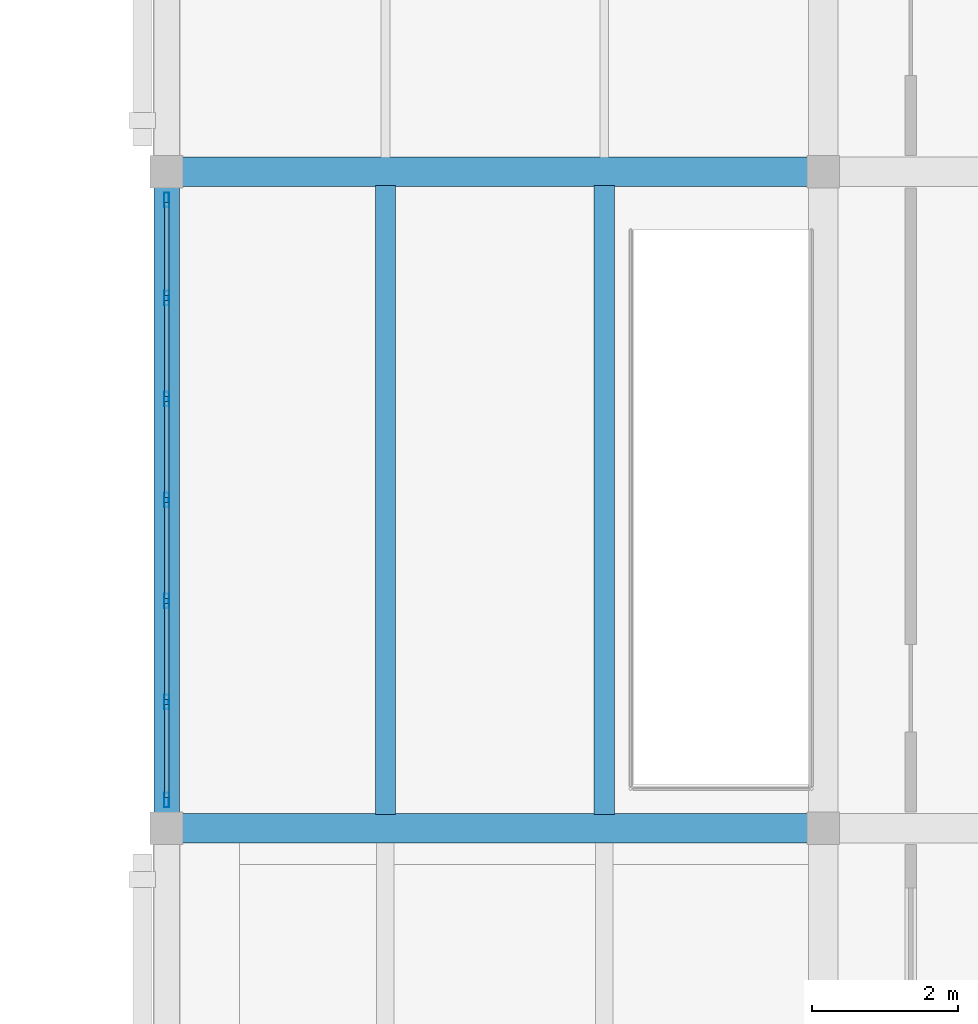
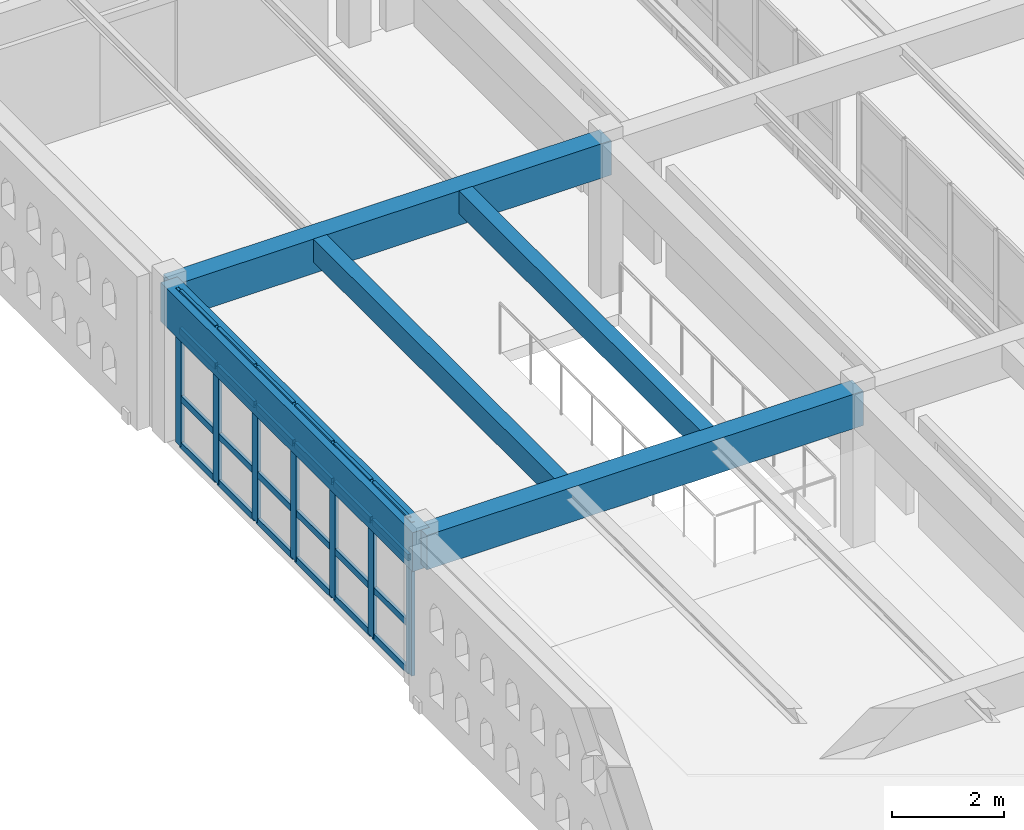
# One storey, part 39 of 80: 31 members, 5 beams, 1 element without a shape of its own.
"""IFC4 building model written with IfcOpenShell, lengths in metres."""

from ifc_helpers import new_model, si_unit, direction, frame, origin, origin_2d, place, context, subcontext, project, spatial, rectangle, hollow_rectangle, extrude, material, layer, layer_set, material_profile, profile_set, type_object, element, aggregate, save


model = new_model("IFC4")

# Units and contexts
model_context = context("Model", 3, precision=1e-05, world=origin(), true_north=direction((0.0, 1.0)))
body_context = subcontext(model_context, "Body", "Model", "MODEL_VIEW")
ifc_project = project(units=[si_unit("LENGTHUNIT", "METRE"), si_unit("AREAUNIT", "SQUARE_METRE"), si_unit("VOLUMEUNIT", "CUBIC_METRE"), si_unit("PLANEANGLEUNIT", "RADIAN"), si_unit("MASSUNIT", "GRAM", prefix="KILO")], contexts=[model_context])

# Site, building, storey
site_placement = place(None, origin())
site = spatial("IfcSite", under=ifc_project, at=site_placement, CompositionType="ELEMENT")
building_placement = place(site_placement, origin())
building = spatial("IfcBuilding", under=site, at=building_placement, Name="Ornek Quay Market", CompositionType="ELEMENT")
storey_placement = place(building_placement, frame((0.0, 0.0, 8.39990234375)))
storey = spatial("IfcBuildingStorey", under=building, at=storey_placement, Name="L02", CompositionType="ELEMENT", Elevation=8.39990234375)

# Beams
ifc_material_1 = material(Name="Concrete C35/45", Category="concrete")
ifc_material_profile_1 = material_profile(ifc_material_1, rectangle(XDim=0.39990234375, YDim=0.75, at=origin_2d()), Name="RC 400x750", Category="concrete")
ifc_profile_set_1 = profile_set([ifc_material_profile_1], Name="Concrete C35/45")
beam_type_1 = type_object("IfcBeamType", Name="BM-CS-400x750", PredefinedType="BEAM", material=ifc_profile_set_1)
for number, where, z_axis, x_axis, name in (
    (1, (153.0, 47.0, 2.97509765625), (1.0, 0.0, 0.0), (0.0, 1.0, 0.0), "Primary beam B-CS1-063"),
    (2, (153.0, 56.0, 2.97509765625), (1.0, 0.0, 0.0), (0.0, 1.0, 0.0), "Primary beam B-CS1-066"),
):
    element("IfcBeam", number, at=place(storey_placement, frame(where, z_axis=z_axis, x_axis=x_axis)), inside=storey, type_object=beam_type_1, Name=name, PredefinedType="BEAM", context=body_context, shape_type="SweptSolid", body=[
        extrude(rectangle(XDim=0.39990234375, YDim=0.75, at=origin_2d()), origin(), (0.0, 0.0, 1.0), 9.0),
    ])
ifc_material_profile_2 = material_profile(ifc_material_1, rectangle(XDim=0.280029296875, YDim=0.5, at=origin_2d()), Name="RC 280x500", Category="concrete")
ifc_profile_set_2 = profile_set([ifc_material_profile_2], Name="Concrete C35/45")
beam_type_2 = type_object("IfcBeamType", Name="BM-SEC-280x500", PredefinedType="JOIST", material=ifc_profile_set_2)
for number, where, z_axis, x_axis, name in (
    (3, (156.0, 47.19189453125, 3.10009765625), (0.0, 1.0, 0.0), (-1.0, 0.0, 0.0), "Secondary joist B-SC2-093"),
    (4, (159.0, 47.19189453125, 3.10009765625), (0.0, 1.0, 0.0), (-1.0, 0.0, 0.0), "Secondary joist B-SC2-094"),
):
    element("IfcBeam", number, at=place(storey_placement, frame(where, z_axis=z_axis, x_axis=x_axis)), inside=storey, type_object=beam_type_2, Name=name, PredefinedType="JOIST", context=body_context, shape_type="SweptSolid", body=[
        extrude(rectangle(XDim=0.280029296875, YDim=0.5, at=origin_2d()), origin(), (0.0, 0.0, 1.0), 8.6162109375),
    ])
ifc_material_2 = material(Name="Concrete C40/50", Category="concrete")
ifc_material_profile_3 = material_profile(ifc_material_2, rectangle(XDim=0.35009765625, YDim=0.85009765625, at=origin_2d()), Name="RC 350x850", Category="concrete")
ifc_profile_set_3 = profile_set([ifc_material_profile_3], Name="Concrete C40/50")
beam_type_3 = type_object("IfcBeamType", Name="BM-SPN-350x850", PredefinedType="SPANDREL", material=ifc_profile_set_3)
beam_placement = place(storey_placement, frame((153.0, 47.0, 2.925048828125), z_axis=(0.0, 1.0, 0.0), x_axis=(-1.0, 0.0, 0.0)))
element("IfcBeam", 5, at=beam_placement, inside=storey, type_object=beam_type_3, Name="Primary beam B-SP1-153", PredefinedType="SPANDREL", context=body_context, shape_type="SweptSolid", body=[
    extrude(rectangle(XDim=0.35009765625, YDim=0.85009765625, at=origin_2d()), origin(), (0.0, 0.0, 1.0), 9.0),
])

# Curtain wall, members
ifc_material_3 = material(Name="Anodised bronze aluminium and triple low-e glass", Category="aluminium")
ifc_layer = layer(ifc_material_3, 0.18994140625, Name="Anodised bronze aluminium and triple low-e glass", Category="aluminium")
ifc_layer_set = layer_set([ifc_layer], Name="Anodised bronze aluminium and triple low-e glass")
curtain_wall_type = type_object("IfcCurtainWallType", Name="CW-FC-MOD1500", PredefinedType="USERDEFINED", material=ifc_layer_set)
curtain_wall_placement = place(storey_placement, origin())
curtain_wall = element("IfcCurtainWall", 6, at=curtain_wall_placement, inside=storey, type_object=curtain_wall_type, Name="Curtain wall CW-093", ObjectType="CURTAIN WALL", PredefinedType="USERDEFINED")
ifc_material_4 = material(Name="Anodised aluminium 6063-T6", Category="aluminium")
ifc_material_profile_4 = material_profile(ifc_material_4, hollow_rectangle(XDim=0.070068359375, YDim=0.199951171875, WallThickness=0.0048828125, at=origin_2d()), Name="CW-MUL-70x200", Category="aluminium")
ifc_profile_set_4 = profile_set([ifc_material_profile_4], Name="Anodised aluminium 6063-T6")
member_type_1 = type_object("IfcMemberType", Name="CW-MUL-70x200", PredefinedType="MULLION", material=ifc_profile_set_4)
member_1_placement = place(storey_placement, frame((153.0, 47.385009765625, 0.0), z_axis=(0.0, 0.0, 1.0), x_axis=(-1.0, 0.0, 0.0)))
member_1 = element("IfcMember", 7, at=member_1_placement, type_object=member_type_1, Name="CW-093 mullion 1", PredefinedType="MULLION", context=body_context, shape_type="SweptSolid", body=[
    extrude(hollow_rectangle(XDim=0.070068359375, YDim=0.199951171875, WallThickness=0.0048828125, at=origin_2d()), origin(), (0.0, 0.0, 1.0), 3.35009765625),
])
member_2_placement = place(storey_placement, frame((153.0, 48.7333984375, 0.0), z_axis=(0.0, 0.0, 1.0), x_axis=(-1.0, 0.0, 0.0)))
member_2 = element("IfcMember", 8, at=member_2_placement, type_object=member_type_1, Name="CW-093 mullion 2", PredefinedType="MULLION", context=body_context, shape_type="SweptSolid", body=[
    extrude(hollow_rectangle(XDim=0.070068359375, YDim=0.199951171875, WallThickness=0.0048828125, at=origin_2d()), origin(), (0.0, 0.0, 1.0), 3.35009765625),
])
member_3_placement = place(storey_placement, frame((153.0, 50.11669921875, 0.0), z_axis=(0.0, 0.0, 1.0), x_axis=(-1.0, 0.0, 0.0)))
member_3 = element("IfcMember", 9, at=member_3_placement, type_object=member_type_1, Name="CW-093 mullion 3", PredefinedType="MULLION", context=body_context, shape_type="SweptSolid", body=[
    extrude(hollow_rectangle(XDim=0.070068359375, YDim=0.199951171875, WallThickness=0.0048828125, at=origin_2d()), origin(), (0.0, 0.0, 1.0), 3.35009765625),
])
member_4_placement = place(storey_placement, frame((153.0, 51.5, 0.0), z_axis=(0.0, 0.0, 1.0), x_axis=(-1.0, 0.0, 0.0)))
member_4 = element("IfcMember", 10, at=member_4_placement, type_object=member_type_1, Name="CW-093 mullion 4", PredefinedType="MULLION", context=body_context, shape_type="SweptSolid", body=[
    extrude(hollow_rectangle(XDim=0.070068359375, YDim=0.199951171875, WallThickness=0.0048828125, at=origin_2d()), origin(), (0.0, 0.0, 1.0), 3.35009765625),
])
member_5_placement = place(storey_placement, frame((153.0, 52.88330078125, 0.0), z_axis=(0.0, 0.0, 1.0), x_axis=(-1.0, 0.0, 0.0)))
member_5 = element("IfcMember", 11, at=member_5_placement, type_object=member_type_1, Name="CW-093 mullion 5", PredefinedType="MULLION", context=body_context, shape_type="SweptSolid", body=[
    extrude(hollow_rectangle(XDim=0.070068359375, YDim=0.199951171875, WallThickness=0.0048828125, at=origin_2d()), origin(), (0.0, 0.0, 1.0), 3.35009765625),
])
member_6_placement = place(storey_placement, frame((153.0, 54.2666015625, 0.0), z_axis=(0.0, 0.0, 1.0), x_axis=(-1.0, 0.0, 0.0)))
member_6 = element("IfcMember", 12, at=member_6_placement, type_object=member_type_1, Name="CW-093 mullion 6", PredefinedType="MULLION", context=body_context, shape_type="SweptSolid", body=[
    extrude(hollow_rectangle(XDim=0.070068359375, YDim=0.199951171875, WallThickness=0.0048828125, at=origin_2d()), origin(), (0.0, 0.0, 1.0), 3.35009765625),
])
member_7_placement = place(storey_placement, frame((153.0, 55.614990234375, 0.0), z_axis=(0.0, 0.0, 1.0), x_axis=(-1.0, 0.0, 0.0)))
member_7 = element("IfcMember", 13, at=member_7_placement, type_object=member_type_1, Name="CW-093 mullion 7", PredefinedType="MULLION", context=body_context, shape_type="SweptSolid", body=[
    extrude(hollow_rectangle(XDim=0.070068359375, YDim=0.199951171875, WallThickness=0.0048828125, at=origin_2d()), origin(), (0.0, 0.0, 1.0), 3.35009765625),
])
ifc_material_profile_5 = material_profile(ifc_material_4, hollow_rectangle(XDim=0.06494140625, YDim=0.139892578125, WallThickness=0.00439453125, at=origin_2d()), Name="CW-TRN-65x140", Category="aluminium")
ifc_profile_set_5 = profile_set([ifc_material_profile_5], Name="Anodised aluminium 6063-T6")
member_type_2 = type_object("IfcMemberType", Name="CW-TRN-65x140", PredefinedType="USERDEFINED", material=ifc_profile_set_5)
member_8_placement = place(storey_placement, frame((153.0, 47.419921875, 0.03271484375), z_axis=(0.0, 1.0, 0.0), x_axis=(-1.0, 0.0, 0.0)))
member_8 = element("IfcMember", 14, at=member_8_placement, type_object=member_type_2, Name="CW-093 transom 1.1", ObjectType="TRANSOM", PredefinedType="USERDEFINED", context=body_context, shape_type="SweptSolid", body=[
    extrude(hollow_rectangle(XDim=0.06494140625, YDim=0.139892578125, WallThickness=0.00439453125, at=origin_2d()), origin(), (0.0, 0.0, 1.0), 1.2783203125),
])
member_9_placement = place(storey_placement, frame((153.0, 47.419921875, 1.050048828125), z_axis=(0.0, 1.0, 0.0), x_axis=(-1.0, 0.0, 0.0)))
member_9 = element("IfcMember", 15, at=member_9_placement, type_object=member_type_2, Name="CW-093 transom 1.2", ObjectType="TRANSOM", PredefinedType="USERDEFINED", context=body_context, shape_type="SweptSolid", body=[
    extrude(hollow_rectangle(XDim=0.06494140625, YDim=0.139892578125, WallThickness=0.00439453125, at=origin_2d()), origin(), (0.0, 0.0, 1.0), 1.2783203125),
])
member_10_placement = place(storey_placement, frame((153.0, 47.419921875, 2.5), z_axis=(0.0, 1.0, 0.0), x_axis=(-1.0, 0.0, 0.0)))
member_10 = element("IfcMember", 16, at=member_10_placement, type_object=member_type_2, Name="CW-093 transom 1.3", ObjectType="TRANSOM", PredefinedType="USERDEFINED", context=body_context, shape_type="SweptSolid", body=[
    extrude(hollow_rectangle(XDim=0.06494140625, YDim=0.139892578125, WallThickness=0.00439453125, at=origin_2d()), origin(), (0.0, 0.0, 1.0), 1.2783203125),
])
member_11_placement = place(storey_placement, frame((153.0, 47.419921875, 3.317626953125), z_axis=(0.0, 1.0, 0.0), x_axis=(-1.0, 0.0, 0.0)))
member_11 = element("IfcMember", 17, at=member_11_placement, type_object=member_type_2, Name="CW-093 transom 1.4", ObjectType="TRANSOM", PredefinedType="USERDEFINED", context=body_context, shape_type="SweptSolid", body=[
    extrude(hollow_rectangle(XDim=0.06494140625, YDim=0.139892578125, WallThickness=0.00439453125, at=origin_2d()), origin(), (0.0, 0.0, 1.0), 1.2783203125),
])
member_12_placement = place(storey_placement, frame((153.0, 48.768310546875, 0.03271484375), z_axis=(0.0, 1.0, 0.0), x_axis=(-1.0, 0.0, 0.0)))
member_12 = element("IfcMember", 18, at=member_12_placement, type_object=member_type_2, Name="CW-093 transom 2.1", ObjectType="TRANSOM", PredefinedType="USERDEFINED", context=body_context, shape_type="SweptSolid", body=[
    extrude(hollow_rectangle(XDim=0.06494140625, YDim=0.139892578125, WallThickness=0.00439453125, at=origin_2d()), origin(), (0.0, 0.0, 1.0), 1.3134765625),
])
member_13_placement = place(storey_placement, frame((153.0, 48.768310546875, 1.050048828125), z_axis=(0.0, 1.0, 0.0), x_axis=(-1.0, 0.0, 0.0)))
member_13 = element("IfcMember", 19, at=member_13_placement, type_object=member_type_2, Name="CW-093 transom 2.2", ObjectType="TRANSOM", PredefinedType="USERDEFINED", context=body_context, shape_type="SweptSolid", body=[
    extrude(hollow_rectangle(XDim=0.06494140625, YDim=0.139892578125, WallThickness=0.00439453125, at=origin_2d()), origin(), (0.0, 0.0, 1.0), 1.3134765625),
])
member_14_placement = place(storey_placement, frame((153.0, 48.768310546875, 2.5), z_axis=(0.0, 1.0, 0.0), x_axis=(-1.0, 0.0, 0.0)))
member_14 = element("IfcMember", 20, at=member_14_placement, type_object=member_type_2, Name="CW-093 transom 2.3", ObjectType="TRANSOM", PredefinedType="USERDEFINED", context=body_context, shape_type="SweptSolid", body=[
    extrude(hollow_rectangle(XDim=0.06494140625, YDim=0.139892578125, WallThickness=0.00439453125, at=origin_2d()), origin(), (0.0, 0.0, 1.0), 1.3134765625),
])
member_15_placement = place(storey_placement, frame((153.0, 48.768310546875, 3.317626953125), z_axis=(0.0, 1.0, 0.0), x_axis=(-1.0, 0.0, 0.0)))
member_15 = element("IfcMember", 21, at=member_15_placement, type_object=member_type_2, Name="CW-093 transom 2.4", ObjectType="TRANSOM", PredefinedType="USERDEFINED", context=body_context, shape_type="SweptSolid", body=[
    extrude(hollow_rectangle(XDim=0.06494140625, YDim=0.139892578125, WallThickness=0.00439453125, at=origin_2d()), origin(), (0.0, 0.0, 1.0), 1.3134765625),
])
member_16_placement = place(storey_placement, frame((153.0, 50.151611328125, 0.03271484375), z_axis=(0.0, 1.0, 0.0), x_axis=(-1.0, 0.0, 0.0)))
member_16 = element("IfcMember", 22, at=member_16_placement, type_object=member_type_2, Name="CW-093 transom 3.1", ObjectType="TRANSOM", PredefinedType="USERDEFINED", context=body_context, shape_type="SweptSolid", body=[
    extrude(hollow_rectangle(XDim=0.06494140625, YDim=0.139892578125, WallThickness=0.00439453125, at=origin_2d()), origin(), (0.0, 0.0, 1.0), 1.3134765625),
])
member_17_placement = place(storey_placement, frame((153.0, 50.151611328125, 1.050048828125), z_axis=(0.0, 1.0, 0.0), x_axis=(-1.0, 0.0, 0.0)))
member_17 = element("IfcMember", 23, at=member_17_placement, type_object=member_type_2, Name="CW-093 transom 3.2", ObjectType="TRANSOM", PredefinedType="USERDEFINED", context=body_context, shape_type="SweptSolid", body=[
    extrude(hollow_rectangle(XDim=0.06494140625, YDim=0.139892578125, WallThickness=0.00439453125, at=origin_2d()), origin(), (0.0, 0.0, 1.0), 1.3134765625),
])
member_18_placement = place(storey_placement, frame((153.0, 50.151611328125, 2.5), z_axis=(0.0, 1.0, 0.0), x_axis=(-1.0, 0.0, 0.0)))
member_18 = element("IfcMember", 24, at=member_18_placement, type_object=member_type_2, Name="CW-093 transom 3.3", ObjectType="TRANSOM", PredefinedType="USERDEFINED", context=body_context, shape_type="SweptSolid", body=[
    extrude(hollow_rectangle(XDim=0.06494140625, YDim=0.139892578125, WallThickness=0.00439453125, at=origin_2d()), origin(), (0.0, 0.0, 1.0), 1.3134765625),
])
member_19_placement = place(storey_placement, frame((153.0, 50.151611328125, 3.317626953125), z_axis=(0.0, 1.0, 0.0), x_axis=(-1.0, 0.0, 0.0)))
member_19 = element("IfcMember", 25, at=member_19_placement, type_object=member_type_2, Name="CW-093 transom 3.4", ObjectType="TRANSOM", PredefinedType="USERDEFINED", context=body_context, shape_type="SweptSolid", body=[
    extrude(hollow_rectangle(XDim=0.06494140625, YDim=0.139892578125, WallThickness=0.00439453125, at=origin_2d()), origin(), (0.0, 0.0, 1.0), 1.3134765625),
])
member_20_placement = place(storey_placement, frame((153.0, 51.534912109375, 0.03271484375), z_axis=(0.0, 1.0, 0.0), x_axis=(-1.0, 0.0, 0.0)))
member_20 = element("IfcMember", 26, at=member_20_placement, type_object=member_type_2, Name="CW-093 transom 4.1", ObjectType="TRANSOM", PredefinedType="USERDEFINED", context=body_context, shape_type="SweptSolid", body=[
    extrude(hollow_rectangle(XDim=0.06494140625, YDim=0.139892578125, WallThickness=0.00439453125, at=origin_2d()), origin(), (0.0, 0.0, 1.0), 1.3134765625),
])
member_21_placement = place(storey_placement, frame((153.0, 51.534912109375, 1.050048828125), z_axis=(0.0, 1.0, 0.0), x_axis=(-1.0, 0.0, 0.0)))
member_21 = element("IfcMember", 27, at=member_21_placement, type_object=member_type_2, Name="CW-093 transom 4.2", ObjectType="TRANSOM", PredefinedType="USERDEFINED", context=body_context, shape_type="SweptSolid", body=[
    extrude(hollow_rectangle(XDim=0.06494140625, YDim=0.139892578125, WallThickness=0.00439453125, at=origin_2d()), origin(), (0.0, 0.0, 1.0), 1.3134765625),
])
member_22_placement = place(storey_placement, frame((153.0, 51.534912109375, 2.5), z_axis=(0.0, 1.0, 0.0), x_axis=(-1.0, 0.0, 0.0)))
member_22 = element("IfcMember", 28, at=member_22_placement, type_object=member_type_2, Name="CW-093 transom 4.3", ObjectType="TRANSOM", PredefinedType="USERDEFINED", context=body_context, shape_type="SweptSolid", body=[
    extrude(hollow_rectangle(XDim=0.06494140625, YDim=0.139892578125, WallThickness=0.00439453125, at=origin_2d()), origin(), (0.0, 0.0, 1.0), 1.3134765625),
])
member_23_placement = place(storey_placement, frame((153.0, 51.534912109375, 3.317626953125), z_axis=(0.0, 1.0, 0.0), x_axis=(-1.0, 0.0, 0.0)))
member_23 = element("IfcMember", 29, at=member_23_placement, type_object=member_type_2, Name="CW-093 transom 4.4", ObjectType="TRANSOM", PredefinedType="USERDEFINED", context=body_context, shape_type="SweptSolid", body=[
    extrude(hollow_rectangle(XDim=0.06494140625, YDim=0.139892578125, WallThickness=0.00439453125, at=origin_2d()), origin(), (0.0, 0.0, 1.0), 1.3134765625),
])
member_24_placement = place(storey_placement, frame((153.0, 52.918212890625, 0.03271484375), z_axis=(0.0, 1.0, 0.0), x_axis=(-1.0, 0.0, 0.0)))
member_24 = element("IfcMember", 30, at=member_24_placement, type_object=member_type_2, Name="CW-093 transom 5.1", ObjectType="TRANSOM", PredefinedType="USERDEFINED", context=body_context, shape_type="SweptSolid", body=[
    extrude(hollow_rectangle(XDim=0.06494140625, YDim=0.139892578125, WallThickness=0.00439453125, at=origin_2d()), origin(), (0.0, 0.0, 1.0), 1.3134765625),
])
member_25_placement = place(storey_placement, frame((153.0, 52.918212890625, 1.050048828125), z_axis=(0.0, 1.0, 0.0), x_axis=(-1.0, 0.0, 0.0)))
member_25 = element("IfcMember", 31, at=member_25_placement, type_object=member_type_2, Name="CW-093 transom 5.2", ObjectType="TRANSOM", PredefinedType="USERDEFINED", context=body_context, shape_type="SweptSolid", body=[
    extrude(hollow_rectangle(XDim=0.06494140625, YDim=0.139892578125, WallThickness=0.00439453125, at=origin_2d()), origin(), (0.0, 0.0, 1.0), 1.3134765625),
])
member_26_placement = place(storey_placement, frame((153.0, 52.918212890625, 2.5), z_axis=(0.0, 1.0, 0.0), x_axis=(-1.0, 0.0, 0.0)))
member_26 = element("IfcMember", 32, at=member_26_placement, type_object=member_type_2, Name="CW-093 transom 5.3", ObjectType="TRANSOM", PredefinedType="USERDEFINED", context=body_context, shape_type="SweptSolid", body=[
    extrude(hollow_rectangle(XDim=0.06494140625, YDim=0.139892578125, WallThickness=0.00439453125, at=origin_2d()), origin(), (0.0, 0.0, 1.0), 1.3134765625),
])
member_27_placement = place(storey_placement, frame((153.0, 52.918212890625, 3.317626953125), z_axis=(0.0, 1.0, 0.0), x_axis=(-1.0, 0.0, 0.0)))
member_27 = element("IfcMember", 33, at=member_27_placement, type_object=member_type_2, Name="CW-093 transom 5.4", ObjectType="TRANSOM", PredefinedType="USERDEFINED", context=body_context, shape_type="SweptSolid", body=[
    extrude(hollow_rectangle(XDim=0.06494140625, YDim=0.139892578125, WallThickness=0.00439453125, at=origin_2d()), origin(), (0.0, 0.0, 1.0), 1.3134765625),
])
member_28_placement = place(storey_placement, frame((153.0, 54.3017578125, 0.03271484375), z_axis=(0.0, 1.0, 0.0), x_axis=(-1.0, 0.0, 0.0)))
member_28 = element("IfcMember", 34, at=member_28_placement, type_object=member_type_2, Name="CW-093 transom 6.1", ObjectType="TRANSOM", PredefinedType="USERDEFINED", context=body_context, shape_type="SweptSolid", body=[
    extrude(hollow_rectangle(XDim=0.06494140625, YDim=0.139892578125, WallThickness=0.00439453125, at=origin_2d()), origin(), (0.0, 0.0, 1.0), 1.2783203125),
])
member_29_placement = place(storey_placement, frame((153.0, 54.3017578125, 1.050048828125), z_axis=(0.0, 1.0, 0.0), x_axis=(-1.0, 0.0, 0.0)))
member_29 = element("IfcMember", 35, at=member_29_placement, type_object=member_type_2, Name="CW-093 transom 6.2", ObjectType="TRANSOM", PredefinedType="USERDEFINED", context=body_context, shape_type="SweptSolid", body=[
    extrude(hollow_rectangle(XDim=0.06494140625, YDim=0.139892578125, WallThickness=0.00439453125, at=origin_2d()), origin(), (0.0, 0.0, 1.0), 1.2783203125),
])
member_30_placement = place(storey_placement, frame((153.0, 54.3017578125, 2.5), z_axis=(0.0, 1.0, 0.0), x_axis=(-1.0, 0.0, 0.0)))
member_30 = element("IfcMember", 36, at=member_30_placement, type_object=member_type_2, Name="CW-093 transom 6.3", ObjectType="TRANSOM", PredefinedType="USERDEFINED", context=body_context, shape_type="SweptSolid", body=[
    extrude(hollow_rectangle(XDim=0.06494140625, YDim=0.139892578125, WallThickness=0.00439453125, at=origin_2d()), origin(), (0.0, 0.0, 1.0), 1.2783203125),
])
member_31_placement = place(storey_placement, frame((153.0, 54.3017578125, 3.317626953125), z_axis=(0.0, 1.0, 0.0), x_axis=(-1.0, 0.0, 0.0)))
member_31 = element("IfcMember", 37, at=member_31_placement, type_object=member_type_2, Name="CW-093 transom 6.4", ObjectType="TRANSOM", PredefinedType="USERDEFINED", context=body_context, shape_type="SweptSolid", body=[
    extrude(hollow_rectangle(XDim=0.06494140625, YDim=0.139892578125, WallThickness=0.00439453125, at=origin_2d()), origin(), (0.0, 0.0, 1.0), 1.2783203125),
])
aggregate(curtain_wall, [member_1, member_2, member_3, member_4, member_5, member_6, member_7, member_8, member_9, member_10, member_11, member_12, member_13, member_14, member_15, member_16, member_17, member_18, member_19, member_20, member_21, member_22, member_23, member_24, member_25, member_26, member_27, member_28, member_29, member_30, member_31])

save(model, "model.ifc")
